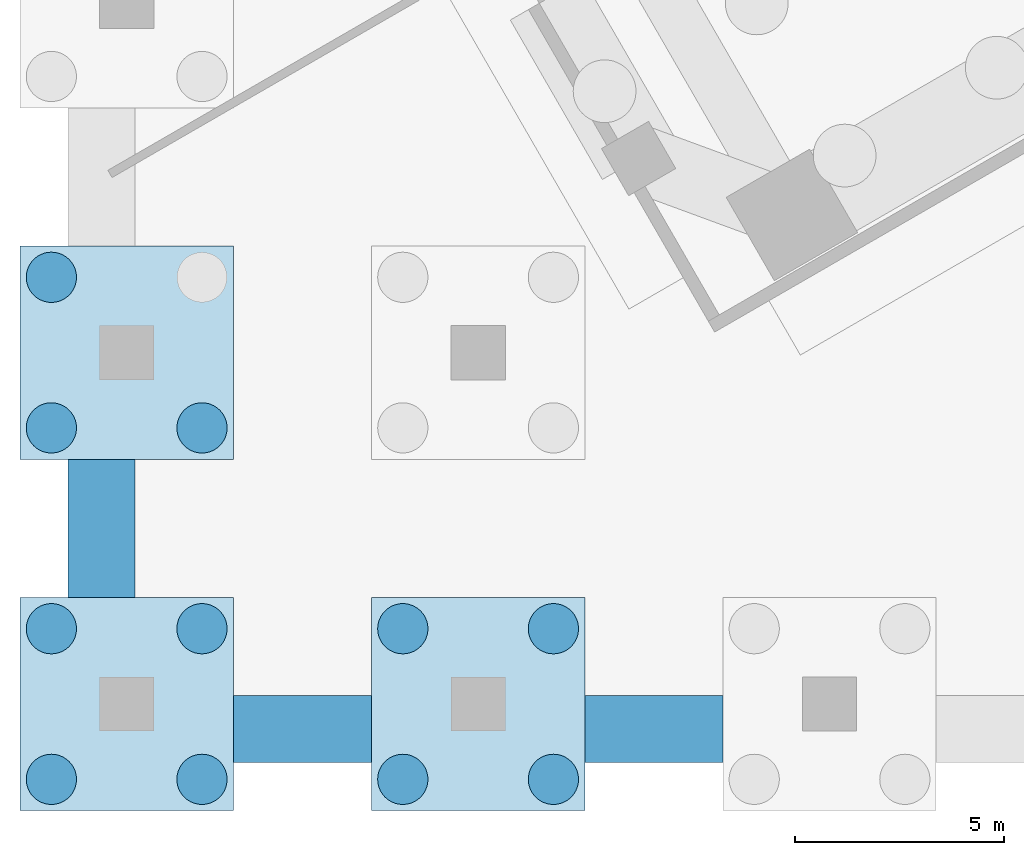
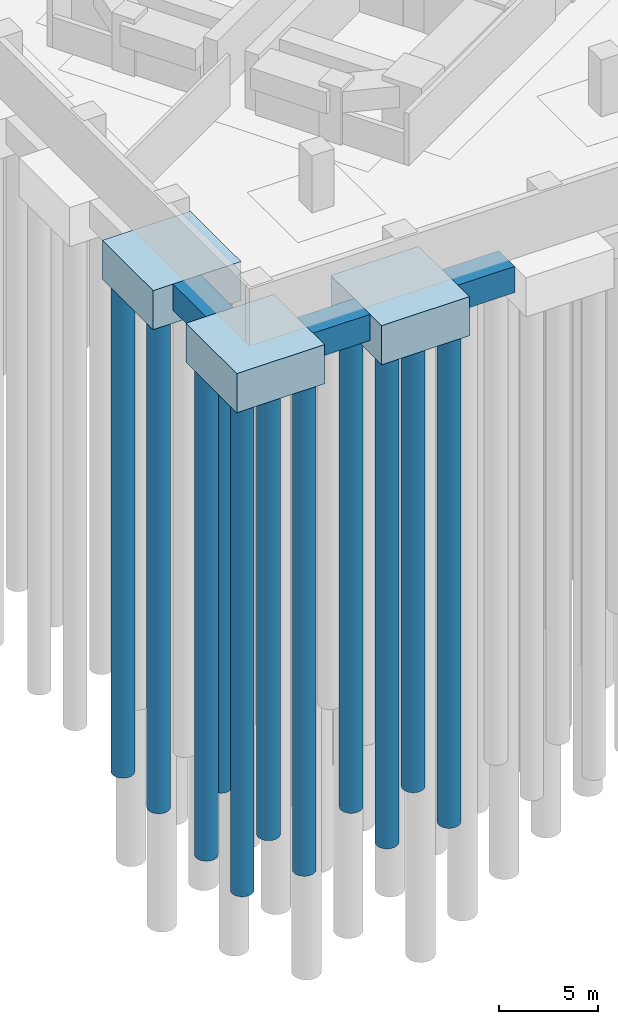
# One storey, part 1 of 73: 11 piles, 6 footings.
"""IFC4 building model written with IfcOpenShell, lengths in metres."""

from ifc_helpers import new_model, si_unit, direction, frame, origin, origin_2d, place, context, subcontext, project, spatial, polyline, circle, outline, extrude, material, material_profile, profile_set, type_object, element, save


model = new_model("IFC4")

# Units and contexts
model_context = context("Model", 3, precision=1e-05, world=origin(), true_north=direction((0.0, 1.0)))
body_context = subcontext(model_context, "Body", "Model", "MODEL_VIEW")
ifc_project = project(units=[si_unit("LENGTHUNIT", "METRE"), si_unit("AREAUNIT", "SQUARE_METRE"), si_unit("VOLUMEUNIT", "CUBIC_METRE"), si_unit("PLANEANGLEUNIT", "RADIAN"), si_unit("MASSUNIT", "GRAM", prefix="KILO")], contexts=[model_context])

# Site, building, storey
site_placement = place(None, origin())
site = spatial("IfcSite", under=ifc_project, at=site_placement, CompositionType="ELEMENT")
building_placement = place(site_placement, origin())
building = spatial("IfcBuilding", under=site, at=building_placement, Name="Impinga Residences", CompositionType="ELEMENT")
storey_placement = place(building_placement, frame((0.0, 0.0, -10.5)))
storey = spatial("IfcBuildingStorey", under=building, at=storey_placement, Name="B3", CompositionType="ELEMENT", Elevation=-10.5)

# Piles
ifc_material_1 = material(Name="Concrete C35/45", Category="concrete")
ifc_material_profile = material_profile(ifc_material_1, circle(Radius=0.60009765625, at=origin_2d()), Name="D1200")
ifc_profile_set = profile_set([ifc_material_profile], Name="Concrete C35/45")
pile_type = type_object("IfcPileType", Name="BP2 bored pile D1200", PredefinedType="BORED", material=ifc_profile_set)
pile_1_placement = place(storey_placement, frame((-52.199951171875, -43.800048828125, -2.39990234375), z_axis=(0.0, 0.0, -1.0), x_axis=(1.0, 0.0, 0.0)))
element("IfcPile", 1, at=pile_1_placement, inside=storey, type_object=pile_type, Name="Cap pile BP2 1/A-1", PredefinedType="BORED", context=body_context, shape_type="SweptSolid", body=[
    extrude(outline(polyline([(0.60009765625, 0.0), (0.59716796875, 0.058837890625), (0.58837890625, 0.116943359375), (0.57421875, 0.174072265625), (0.554443359375, 0.2294921875), (0.529052734375, 0.282958984375), (0.498779296875, 0.333251953125), (0.4638671875, 0.380615234375), (0.42431640625, 0.42431640625), (0.380615234375, 0.4638671875), (0.333251953125, 0.498779296875), (0.282958984375, 0.529052734375), (0.2294921875, 0.554443359375), (0.174072265625, 0.57421875), (0.116943359375, 0.58837890625), (0.058837890625, 0.59716796875), (0.0, 0.60009765625), (-0.058837890625, 0.59716796875), (-0.116943359375, 0.58837890625), (-0.174072265625, 0.57421875), (-0.2294921875, 0.554443359375), (-0.282958984375, 0.529052734375), (-0.333251953125, 0.498779296875), (-0.380615234375, 0.4638671875), (-0.42431640625, 0.42431640625), (-0.4638671875, 0.380615234375), (-0.498779296875, 0.333251953125), (-0.529052734375, 0.282958984375), (-0.554443359375, 0.2294921875), (-0.57421875, 0.174072265625), (-0.58837890625, 0.116943359375), (-0.59716796875, 0.058837890625), (-0.60009765625, 0.0), (-0.59716796875, -0.058837890625), (-0.58837890625, -0.116943359375), (-0.57421875, -0.174072265625), (-0.554443359375, -0.2294921875), (-0.529052734375, -0.282958984375), (-0.498779296875, -0.333251953125), (-0.4638671875, -0.380615234375), (-0.42431640625, -0.42431640625), (-0.380615234375, -0.4638671875), (-0.333251953125, -0.498779296875), (-0.282958984375, -0.529052734375), (-0.2294921875, -0.554443359375), (-0.174072265625, -0.57421875), (-0.116943359375, -0.58837890625), (-0.058837890625, -0.59716796875), (0.0, -0.60009765625), (0.058837890625, -0.59716796875), (0.116943359375, -0.58837890625), (0.174072265625, -0.57421875), (0.2294921875, -0.554443359375), (0.282958984375, -0.529052734375), (0.333251953125, -0.498779296875), (0.380615234375, -0.4638671875), (0.42431640625, -0.42431640625), (0.4638671875, -0.380615234375), (0.498779296875, -0.333251953125), (0.529052734375, -0.282958984375), (0.554443359375, -0.2294921875), (0.57421875, -0.174072265625), (0.58837890625, -0.116943359375), (0.59716796875, -0.058837890625), (0.60009765625, 0.0)])), origin(), (0.0, 0.0, 1.0), 30.0),
])
pile_2_placement = place(storey_placement, frame((-48.60009765625, -43.800048828125, -2.39990234375), z_axis=(0.0, 0.0, -1.0), x_axis=(1.0, 0.0, 0.0)))
element("IfcPile", 2, at=pile_2_placement, inside=storey, type_object=pile_type, Name="Cap pile BP2 1/A-2", PredefinedType="BORED", context=body_context, shape_type="SweptSolid", body=[
    extrude(outline(polyline([(0.60009765625, 0.0), (0.59716796875, 0.058837890625), (0.58837890625, 0.116943359375), (0.57421875, 0.174072265625), (0.554443359375, 0.2294921875), (0.529052734375, 0.282958984375), (0.498779296875, 0.333251953125), (0.4638671875, 0.380615234375), (0.42431640625, 0.42431640625), (0.380615234375, 0.4638671875), (0.333251953125, 0.498779296875), (0.282958984375, 0.529052734375), (0.2294921875, 0.554443359375), (0.174072265625, 0.57421875), (0.116943359375, 0.58837890625), (0.058837890625, 0.59716796875), (0.0, 0.60009765625), (-0.058837890625, 0.59716796875), (-0.116943359375, 0.58837890625), (-0.174072265625, 0.57421875), (-0.2294921875, 0.554443359375), (-0.282958984375, 0.529052734375), (-0.333251953125, 0.498779296875), (-0.380615234375, 0.4638671875), (-0.42431640625, 0.42431640625), (-0.4638671875, 0.380615234375), (-0.498779296875, 0.333251953125), (-0.529052734375, 0.282958984375), (-0.554443359375, 0.2294921875), (-0.57421875, 0.174072265625), (-0.58837890625, 0.116943359375), (-0.59716796875, 0.058837890625), (-0.60009765625, 0.0), (-0.59716796875, -0.058837890625), (-0.58837890625, -0.116943359375), (-0.57421875, -0.174072265625), (-0.554443359375, -0.2294921875), (-0.529052734375, -0.282958984375), (-0.498779296875, -0.333251953125), (-0.4638671875, -0.380615234375), (-0.42431640625, -0.42431640625), (-0.380615234375, -0.4638671875), (-0.333251953125, -0.498779296875), (-0.282958984375, -0.529052734375), (-0.2294921875, -0.554443359375), (-0.174072265625, -0.57421875), (-0.116943359375, -0.58837890625), (-0.058837890625, -0.59716796875), (0.0, -0.60009765625), (0.058837890625, -0.59716796875), (0.116943359375, -0.58837890625), (0.174072265625, -0.57421875), (0.2294921875, -0.554443359375), (0.282958984375, -0.529052734375), (0.333251953125, -0.498779296875), (0.380615234375, -0.4638671875), (0.42431640625, -0.42431640625), (0.4638671875, -0.380615234375), (0.498779296875, -0.333251953125), (0.529052734375, -0.282958984375), (0.554443359375, -0.2294921875), (0.57421875, -0.174072265625), (0.58837890625, -0.116943359375), (0.59716796875, -0.058837890625), (0.60009765625, 0.0)])), origin(), (0.0, 0.0, 1.0), 30.0),
])
pile_3_placement = place(storey_placement, frame((-48.60009765625, -40.199951171875, -2.39990234375), z_axis=(0.0, 0.0, -1.0), x_axis=(1.0, 0.0, 0.0)))
element("IfcPile", 3, at=pile_3_placement, inside=storey, type_object=pile_type, Name="Cap pile BP2 1/A-3", PredefinedType="BORED", context=body_context, shape_type="SweptSolid", body=[
    extrude(outline(polyline([(0.60009765625, 0.0), (0.59716796875, 0.058837890625), (0.58837890625, 0.116943359375), (0.57421875, 0.174072265625), (0.554443359375, 0.2294921875), (0.529052734375, 0.282958984375), (0.498779296875, 0.333251953125), (0.4638671875, 0.380615234375), (0.42431640625, 0.42431640625), (0.380615234375, 0.4638671875), (0.333251953125, 0.498779296875), (0.282958984375, 0.529052734375), (0.2294921875, 0.554443359375), (0.174072265625, 0.57421875), (0.116943359375, 0.58837890625), (0.058837890625, 0.59716796875), (0.0, 0.60009765625), (-0.058837890625, 0.59716796875), (-0.116943359375, 0.58837890625), (-0.174072265625, 0.57421875), (-0.2294921875, 0.554443359375), (-0.282958984375, 0.529052734375), (-0.333251953125, 0.498779296875), (-0.380615234375, 0.4638671875), (-0.42431640625, 0.42431640625), (-0.4638671875, 0.380615234375), (-0.498779296875, 0.333251953125), (-0.529052734375, 0.282958984375), (-0.554443359375, 0.2294921875), (-0.57421875, 0.174072265625), (-0.58837890625, 0.116943359375), (-0.59716796875, 0.058837890625), (-0.60009765625, 0.0), (-0.59716796875, -0.058837890625), (-0.58837890625, -0.116943359375), (-0.57421875, -0.174072265625), (-0.554443359375, -0.2294921875), (-0.529052734375, -0.282958984375), (-0.498779296875, -0.333251953125), (-0.4638671875, -0.380615234375), (-0.42431640625, -0.42431640625), (-0.380615234375, -0.4638671875), (-0.333251953125, -0.498779296875), (-0.282958984375, -0.529052734375), (-0.2294921875, -0.554443359375), (-0.174072265625, -0.57421875), (-0.116943359375, -0.58837890625), (-0.058837890625, -0.59716796875), (0.0, -0.60009765625), (0.058837890625, -0.59716796875), (0.116943359375, -0.58837890625), (0.174072265625, -0.57421875), (0.2294921875, -0.554443359375), (0.282958984375, -0.529052734375), (0.333251953125, -0.498779296875), (0.380615234375, -0.4638671875), (0.42431640625, -0.42431640625), (0.4638671875, -0.380615234375), (0.498779296875, -0.333251953125), (0.529052734375, -0.282958984375), (0.554443359375, -0.2294921875), (0.57421875, -0.174072265625), (0.58837890625, -0.116943359375), (0.59716796875, -0.058837890625), (0.60009765625, 0.0)])), origin(), (0.0, 0.0, 1.0), 30.0),
])
pile_4_placement = place(storey_placement, frame((-52.199951171875, -40.199951171875, -2.39990234375), z_axis=(0.0, 0.0, -1.0), x_axis=(1.0, 0.0, 0.0)))
element("IfcPile", 4, at=pile_4_placement, inside=storey, type_object=pile_type, Name="Cap pile BP2 1/A-4", PredefinedType="BORED", context=body_context, shape_type="SweptSolid", body=[
    extrude(outline(polyline([(0.60009765625, 0.0), (0.59716796875, 0.058837890625), (0.58837890625, 0.116943359375), (0.57421875, 0.174072265625), (0.554443359375, 0.2294921875), (0.529052734375, 0.282958984375), (0.498779296875, 0.333251953125), (0.4638671875, 0.380615234375), (0.42431640625, 0.42431640625), (0.380615234375, 0.4638671875), (0.333251953125, 0.498779296875), (0.282958984375, 0.529052734375), (0.2294921875, 0.554443359375), (0.174072265625, 0.57421875), (0.116943359375, 0.58837890625), (0.058837890625, 0.59716796875), (0.0, 0.60009765625), (-0.058837890625, 0.59716796875), (-0.116943359375, 0.58837890625), (-0.174072265625, 0.57421875), (-0.2294921875, 0.554443359375), (-0.282958984375, 0.529052734375), (-0.333251953125, 0.498779296875), (-0.380615234375, 0.4638671875), (-0.42431640625, 0.42431640625), (-0.4638671875, 0.380615234375), (-0.498779296875, 0.333251953125), (-0.529052734375, 0.282958984375), (-0.554443359375, 0.2294921875), (-0.57421875, 0.174072265625), (-0.58837890625, 0.116943359375), (-0.59716796875, 0.058837890625), (-0.60009765625, 0.0), (-0.59716796875, -0.058837890625), (-0.58837890625, -0.116943359375), (-0.57421875, -0.174072265625), (-0.554443359375, -0.2294921875), (-0.529052734375, -0.282958984375), (-0.498779296875, -0.333251953125), (-0.4638671875, -0.380615234375), (-0.42431640625, -0.42431640625), (-0.380615234375, -0.4638671875), (-0.333251953125, -0.498779296875), (-0.282958984375, -0.529052734375), (-0.2294921875, -0.554443359375), (-0.174072265625, -0.57421875), (-0.116943359375, -0.58837890625), (-0.058837890625, -0.59716796875), (0.0, -0.60009765625), (0.058837890625, -0.59716796875), (0.116943359375, -0.58837890625), (0.174072265625, -0.57421875), (0.2294921875, -0.554443359375), (0.282958984375, -0.529052734375), (0.333251953125, -0.498779296875), (0.380615234375, -0.4638671875), (0.42431640625, -0.42431640625), (0.4638671875, -0.380615234375), (0.498779296875, -0.333251953125), (0.529052734375, -0.282958984375), (0.554443359375, -0.2294921875), (0.57421875, -0.174072265625), (0.58837890625, -0.116943359375), (0.59716796875, -0.058837890625), (0.60009765625, 0.0)])), origin(), (0.0, 0.0, 1.0), 30.0),
])
pile_5_placement = place(storey_placement, frame((-52.199951171875, -35.39990234375, -2.39990234375), z_axis=(0.0, 0.0, -1.0), x_axis=(1.0, 0.0, 0.0)))
element("IfcPile", 5, at=pile_5_placement, inside=storey, type_object=pile_type, Name="Cap pile BP2 1/B-1", PredefinedType="BORED", context=body_context, shape_type="SweptSolid", body=[
    extrude(outline(polyline([(0.60009765625, 0.0), (0.59716796875, 0.058837890625), (0.58837890625, 0.116943359375), (0.57421875, 0.174072265625), (0.554443359375, 0.2294921875), (0.529052734375, 0.282958984375), (0.498779296875, 0.333251953125), (0.4638671875, 0.380615234375), (0.42431640625, 0.42431640625), (0.380615234375, 0.4638671875), (0.333251953125, 0.498779296875), (0.282958984375, 0.529052734375), (0.2294921875, 0.554443359375), (0.174072265625, 0.57421875), (0.116943359375, 0.58837890625), (0.058837890625, 0.59716796875), (0.0, 0.60009765625), (-0.058837890625, 0.59716796875), (-0.116943359375, 0.58837890625), (-0.174072265625, 0.57421875), (-0.2294921875, 0.554443359375), (-0.282958984375, 0.529052734375), (-0.333251953125, 0.498779296875), (-0.380615234375, 0.4638671875), (-0.42431640625, 0.42431640625), (-0.4638671875, 0.380615234375), (-0.498779296875, 0.333251953125), (-0.529052734375, 0.282958984375), (-0.554443359375, 0.2294921875), (-0.57421875, 0.174072265625), (-0.58837890625, 0.116943359375), (-0.59716796875, 0.058837890625), (-0.60009765625, 0.0), (-0.59716796875, -0.058837890625), (-0.58837890625, -0.116943359375), (-0.57421875, -0.174072265625), (-0.554443359375, -0.2294921875), (-0.529052734375, -0.282958984375), (-0.498779296875, -0.333251953125), (-0.4638671875, -0.380615234375), (-0.42431640625, -0.42431640625), (-0.380615234375, -0.4638671875), (-0.333251953125, -0.498779296875), (-0.282958984375, -0.529052734375), (-0.2294921875, -0.554443359375), (-0.174072265625, -0.57421875), (-0.116943359375, -0.58837890625), (-0.058837890625, -0.59716796875), (0.0, -0.60009765625), (0.058837890625, -0.59716796875), (0.116943359375, -0.58837890625), (0.174072265625, -0.57421875), (0.2294921875, -0.554443359375), (0.282958984375, -0.529052734375), (0.333251953125, -0.498779296875), (0.380615234375, -0.4638671875), (0.42431640625, -0.42431640625), (0.4638671875, -0.380615234375), (0.498779296875, -0.333251953125), (0.529052734375, -0.282958984375), (0.554443359375, -0.2294921875), (0.57421875, -0.174072265625), (0.58837890625, -0.116943359375), (0.59716796875, -0.058837890625), (0.60009765625, 0.0)])), origin(), (0.0, 0.0, 1.0), 30.0),
])
pile_6_placement = place(storey_placement, frame((-48.60009765625, -35.39990234375, -2.39990234375), z_axis=(0.0, 0.0, -1.0), x_axis=(1.0, 0.0, 0.0)))
element("IfcPile", 6, at=pile_6_placement, inside=storey, type_object=pile_type, Name="Cap pile BP2 1/B-2", PredefinedType="BORED", context=body_context, shape_type="SweptSolid", body=[
    extrude(outline(polyline([(0.60009765625, 0.0), (0.59716796875, 0.058837890625), (0.58837890625, 0.116943359375), (0.57421875, 0.174072265625), (0.554443359375, 0.2294921875), (0.529052734375, 0.282958984375), (0.498779296875, 0.333251953125), (0.4638671875, 0.380615234375), (0.42431640625, 0.42431640625), (0.380615234375, 0.4638671875), (0.333251953125, 0.498779296875), (0.282958984375, 0.529052734375), (0.2294921875, 0.554443359375), (0.174072265625, 0.57421875), (0.116943359375, 0.58837890625), (0.058837890625, 0.59716796875), (0.0, 0.60009765625), (-0.058837890625, 0.59716796875), (-0.116943359375, 0.58837890625), (-0.174072265625, 0.57421875), (-0.2294921875, 0.554443359375), (-0.282958984375, 0.529052734375), (-0.333251953125, 0.498779296875), (-0.380615234375, 0.4638671875), (-0.42431640625, 0.42431640625), (-0.4638671875, 0.380615234375), (-0.498779296875, 0.333251953125), (-0.529052734375, 0.282958984375), (-0.554443359375, 0.2294921875), (-0.57421875, 0.174072265625), (-0.58837890625, 0.116943359375), (-0.59716796875, 0.058837890625), (-0.60009765625, 0.0), (-0.59716796875, -0.058837890625), (-0.58837890625, -0.116943359375), (-0.57421875, -0.174072265625), (-0.554443359375, -0.2294921875), (-0.529052734375, -0.282958984375), (-0.498779296875, -0.333251953125), (-0.4638671875, -0.380615234375), (-0.42431640625, -0.42431640625), (-0.380615234375, -0.4638671875), (-0.333251953125, -0.498779296875), (-0.282958984375, -0.529052734375), (-0.2294921875, -0.554443359375), (-0.174072265625, -0.57421875), (-0.116943359375, -0.58837890625), (-0.058837890625, -0.59716796875), (0.0, -0.60009765625), (0.058837890625, -0.59716796875), (0.116943359375, -0.58837890625), (0.174072265625, -0.57421875), (0.2294921875, -0.554443359375), (0.282958984375, -0.529052734375), (0.333251953125, -0.498779296875), (0.380615234375, -0.4638671875), (0.42431640625, -0.42431640625), (0.4638671875, -0.380615234375), (0.498779296875, -0.333251953125), (0.529052734375, -0.282958984375), (0.554443359375, -0.2294921875), (0.57421875, -0.174072265625), (0.58837890625, -0.116943359375), (0.59716796875, -0.058837890625), (0.60009765625, 0.0)])), origin(), (0.0, 0.0, 1.0), 30.0),
])
pile_7_placement = place(storey_placement, frame((-52.199951171875, -31.800048828125, -2.39990234375), z_axis=(0.0, 0.0, -1.0), x_axis=(1.0, 0.0, 0.0)))
element("IfcPile", 7, at=pile_7_placement, inside=storey, type_object=pile_type, Name="Cap pile BP2 1/B-4", PredefinedType="BORED", context=body_context, shape_type="SweptSolid", body=[
    extrude(outline(polyline([(0.60009765625, 0.0), (0.59716796875, 0.058837890625), (0.58837890625, 0.116943359375), (0.57421875, 0.174072265625), (0.554443359375, 0.2294921875), (0.529052734375, 0.282958984375), (0.498779296875, 0.333251953125), (0.4638671875, 0.380615234375), (0.42431640625, 0.42431640625), (0.380615234375, 0.4638671875), (0.333251953125, 0.498779296875), (0.282958984375, 0.529052734375), (0.2294921875, 0.554443359375), (0.174072265625, 0.57421875), (0.116943359375, 0.58837890625), (0.058837890625, 0.59716796875), (0.0, 0.60009765625), (-0.058837890625, 0.59716796875), (-0.116943359375, 0.58837890625), (-0.174072265625, 0.57421875), (-0.2294921875, 0.554443359375), (-0.282958984375, 0.529052734375), (-0.333251953125, 0.498779296875), (-0.380615234375, 0.4638671875), (-0.42431640625, 0.42431640625), (-0.4638671875, 0.380615234375), (-0.498779296875, 0.333251953125), (-0.529052734375, 0.282958984375), (-0.554443359375, 0.2294921875), (-0.57421875, 0.174072265625), (-0.58837890625, 0.116943359375), (-0.59716796875, 0.058837890625), (-0.60009765625, 0.0), (-0.59716796875, -0.058837890625), (-0.58837890625, -0.116943359375), (-0.57421875, -0.174072265625), (-0.554443359375, -0.2294921875), (-0.529052734375, -0.282958984375), (-0.498779296875, -0.333251953125), (-0.4638671875, -0.380615234375), (-0.42431640625, -0.42431640625), (-0.380615234375, -0.4638671875), (-0.333251953125, -0.498779296875), (-0.282958984375, -0.529052734375), (-0.2294921875, -0.554443359375), (-0.174072265625, -0.57421875), (-0.116943359375, -0.58837890625), (-0.058837890625, -0.59716796875), (0.0, -0.60009765625), (0.058837890625, -0.59716796875), (0.116943359375, -0.58837890625), (0.174072265625, -0.57421875), (0.2294921875, -0.554443359375), (0.282958984375, -0.529052734375), (0.333251953125, -0.498779296875), (0.380615234375, -0.4638671875), (0.42431640625, -0.42431640625), (0.4638671875, -0.380615234375), (0.498779296875, -0.333251953125), (0.529052734375, -0.282958984375), (0.554443359375, -0.2294921875), (0.57421875, -0.174072265625), (0.58837890625, -0.116943359375), (0.59716796875, -0.058837890625), (0.60009765625, 0.0)])), origin(), (0.0, 0.0, 1.0), 30.0),
])
pile_8_placement = place(storey_placement, frame((-43.800048828125, -43.800048828125, -2.39990234375), z_axis=(0.0, 0.0, -1.0), x_axis=(1.0, 0.0, 0.0)))
element("IfcPile", 8, at=pile_8_placement, inside=storey, type_object=pile_type, Name="Cap pile BP2 2/A-1", PredefinedType="BORED", context=body_context, shape_type="SweptSolid", body=[
    extrude(outline(polyline([(0.60009765625, 0.0), (0.59716796875, 0.058837890625), (0.58837890625, 0.116943359375), (0.57421875, 0.174072265625), (0.554443359375, 0.2294921875), (0.529052734375, 0.282958984375), (0.498779296875, 0.333251953125), (0.4638671875, 0.380615234375), (0.42431640625, 0.42431640625), (0.380615234375, 0.4638671875), (0.333251953125, 0.498779296875), (0.282958984375, 0.529052734375), (0.2294921875, 0.554443359375), (0.174072265625, 0.57421875), (0.116943359375, 0.58837890625), (0.058837890625, 0.59716796875), (0.0, 0.60009765625), (-0.058837890625, 0.59716796875), (-0.116943359375, 0.58837890625), (-0.174072265625, 0.57421875), (-0.2294921875, 0.554443359375), (-0.282958984375, 0.529052734375), (-0.333251953125, 0.498779296875), (-0.380615234375, 0.4638671875), (-0.42431640625, 0.42431640625), (-0.4638671875, 0.380615234375), (-0.498779296875, 0.333251953125), (-0.529052734375, 0.282958984375), (-0.554443359375, 0.2294921875), (-0.57421875, 0.174072265625), (-0.58837890625, 0.116943359375), (-0.59716796875, 0.058837890625), (-0.60009765625, 0.0), (-0.59716796875, -0.058837890625), (-0.58837890625, -0.116943359375), (-0.57421875, -0.174072265625), (-0.554443359375, -0.2294921875), (-0.529052734375, -0.282958984375), (-0.498779296875, -0.333251953125), (-0.4638671875, -0.380615234375), (-0.42431640625, -0.42431640625), (-0.380615234375, -0.4638671875), (-0.333251953125, -0.498779296875), (-0.282958984375, -0.529052734375), (-0.2294921875, -0.554443359375), (-0.174072265625, -0.57421875), (-0.116943359375, -0.58837890625), (-0.058837890625, -0.59716796875), (0.0, -0.60009765625), (0.058837890625, -0.59716796875), (0.116943359375, -0.58837890625), (0.174072265625, -0.57421875), (0.2294921875, -0.554443359375), (0.282958984375, -0.529052734375), (0.333251953125, -0.498779296875), (0.380615234375, -0.4638671875), (0.42431640625, -0.42431640625), (0.4638671875, -0.380615234375), (0.498779296875, -0.333251953125), (0.529052734375, -0.282958984375), (0.554443359375, -0.2294921875), (0.57421875, -0.174072265625), (0.58837890625, -0.116943359375), (0.59716796875, -0.058837890625), (0.60009765625, 0.0)])), origin(), (0.0, 0.0, 1.0), 30.0),
])
pile_9_placement = place(storey_placement, frame((-40.199951171875, -43.800048828125, -2.39990234375), z_axis=(0.0, 0.0, -1.0), x_axis=(1.0, 0.0, 0.0)))
element("IfcPile", 9, at=pile_9_placement, inside=storey, type_object=pile_type, Name="Cap pile BP2 2/A-2", PredefinedType="BORED", context=body_context, shape_type="SweptSolid", body=[
    extrude(outline(polyline([(0.60009765625, 0.0), (0.59716796875, 0.058837890625), (0.58837890625, 0.116943359375), (0.57421875, 0.174072265625), (0.554443359375, 0.2294921875), (0.529052734375, 0.282958984375), (0.498779296875, 0.333251953125), (0.4638671875, 0.380615234375), (0.42431640625, 0.42431640625), (0.380615234375, 0.4638671875), (0.333251953125, 0.498779296875), (0.282958984375, 0.529052734375), (0.2294921875, 0.554443359375), (0.174072265625, 0.57421875), (0.116943359375, 0.58837890625), (0.058837890625, 0.59716796875), (0.0, 0.60009765625), (-0.058837890625, 0.59716796875), (-0.116943359375, 0.58837890625), (-0.174072265625, 0.57421875), (-0.2294921875, 0.554443359375), (-0.282958984375, 0.529052734375), (-0.333251953125, 0.498779296875), (-0.380615234375, 0.4638671875), (-0.42431640625, 0.42431640625), (-0.4638671875, 0.380615234375), (-0.498779296875, 0.333251953125), (-0.529052734375, 0.282958984375), (-0.554443359375, 0.2294921875), (-0.57421875, 0.174072265625), (-0.58837890625, 0.116943359375), (-0.59716796875, 0.058837890625), (-0.60009765625, 0.0), (-0.59716796875, -0.058837890625), (-0.58837890625, -0.116943359375), (-0.57421875, -0.174072265625), (-0.554443359375, -0.2294921875), (-0.529052734375, -0.282958984375), (-0.498779296875, -0.333251953125), (-0.4638671875, -0.380615234375), (-0.42431640625, -0.42431640625), (-0.380615234375, -0.4638671875), (-0.333251953125, -0.498779296875), (-0.282958984375, -0.529052734375), (-0.2294921875, -0.554443359375), (-0.174072265625, -0.57421875), (-0.116943359375, -0.58837890625), (-0.058837890625, -0.59716796875), (0.0, -0.60009765625), (0.058837890625, -0.59716796875), (0.116943359375, -0.58837890625), (0.174072265625, -0.57421875), (0.2294921875, -0.554443359375), (0.282958984375, -0.529052734375), (0.333251953125, -0.498779296875), (0.380615234375, -0.4638671875), (0.42431640625, -0.42431640625), (0.4638671875, -0.380615234375), (0.498779296875, -0.333251953125), (0.529052734375, -0.282958984375), (0.554443359375, -0.2294921875), (0.57421875, -0.174072265625), (0.58837890625, -0.116943359375), (0.59716796875, -0.058837890625), (0.60009765625, 0.0)])), origin(), (0.0, 0.0, 1.0), 30.0),
])
pile_10_placement = place(storey_placement, frame((-40.199951171875, -40.199951171875, -2.39990234375), z_axis=(0.0, 0.0, -1.0), x_axis=(1.0, 0.0, 0.0)))
element("IfcPile", 10, at=pile_10_placement, inside=storey, type_object=pile_type, Name="Cap pile BP2 2/A-3", PredefinedType="BORED", context=body_context, shape_type="SweptSolid", body=[
    extrude(outline(polyline([(0.60009765625, 0.0), (0.59716796875, 0.058837890625), (0.58837890625, 0.116943359375), (0.57421875, 0.174072265625), (0.554443359375, 0.2294921875), (0.529052734375, 0.282958984375), (0.498779296875, 0.333251953125), (0.4638671875, 0.380615234375), (0.42431640625, 0.42431640625), (0.380615234375, 0.4638671875), (0.333251953125, 0.498779296875), (0.282958984375, 0.529052734375), (0.2294921875, 0.554443359375), (0.174072265625, 0.57421875), (0.116943359375, 0.58837890625), (0.058837890625, 0.59716796875), (0.0, 0.60009765625), (-0.058837890625, 0.59716796875), (-0.116943359375, 0.58837890625), (-0.174072265625, 0.57421875), (-0.2294921875, 0.554443359375), (-0.282958984375, 0.529052734375), (-0.333251953125, 0.498779296875), (-0.380615234375, 0.4638671875), (-0.42431640625, 0.42431640625), (-0.4638671875, 0.380615234375), (-0.498779296875, 0.333251953125), (-0.529052734375, 0.282958984375), (-0.554443359375, 0.2294921875), (-0.57421875, 0.174072265625), (-0.58837890625, 0.116943359375), (-0.59716796875, 0.058837890625), (-0.60009765625, 0.0), (-0.59716796875, -0.058837890625), (-0.58837890625, -0.116943359375), (-0.57421875, -0.174072265625), (-0.554443359375, -0.2294921875), (-0.529052734375, -0.282958984375), (-0.498779296875, -0.333251953125), (-0.4638671875, -0.380615234375), (-0.42431640625, -0.42431640625), (-0.380615234375, -0.4638671875), (-0.333251953125, -0.498779296875), (-0.282958984375, -0.529052734375), (-0.2294921875, -0.554443359375), (-0.174072265625, -0.57421875), (-0.116943359375, -0.58837890625), (-0.058837890625, -0.59716796875), (0.0, -0.60009765625), (0.058837890625, -0.59716796875), (0.116943359375, -0.58837890625), (0.174072265625, -0.57421875), (0.2294921875, -0.554443359375), (0.282958984375, -0.529052734375), (0.333251953125, -0.498779296875), (0.380615234375, -0.4638671875), (0.42431640625, -0.42431640625), (0.4638671875, -0.380615234375), (0.498779296875, -0.333251953125), (0.529052734375, -0.282958984375), (0.554443359375, -0.2294921875), (0.57421875, -0.174072265625), (0.58837890625, -0.116943359375), (0.59716796875, -0.058837890625), (0.60009765625, 0.0)])), origin(), (0.0, 0.0, 1.0), 30.0),
])
pile_11_placement = place(storey_placement, frame((-43.800048828125, -40.199951171875, -2.39990234375), z_axis=(0.0, 0.0, -1.0), x_axis=(1.0, 0.0, 0.0)))
element("IfcPile", 11, at=pile_11_placement, inside=storey, type_object=pile_type, Name="Cap pile BP2 2/A-4", PredefinedType="BORED", context=body_context, shape_type="SweptSolid", body=[
    extrude(outline(polyline([(0.60009765625, 0.0), (0.59716796875, 0.058837890625), (0.58837890625, 0.116943359375), (0.57421875, 0.174072265625), (0.554443359375, 0.2294921875), (0.529052734375, 0.282958984375), (0.498779296875, 0.333251953125), (0.4638671875, 0.380615234375), (0.42431640625, 0.42431640625), (0.380615234375, 0.4638671875), (0.333251953125, 0.498779296875), (0.282958984375, 0.529052734375), (0.2294921875, 0.554443359375), (0.174072265625, 0.57421875), (0.116943359375, 0.58837890625), (0.058837890625, 0.59716796875), (0.0, 0.60009765625), (-0.058837890625, 0.59716796875), (-0.116943359375, 0.58837890625), (-0.174072265625, 0.57421875), (-0.2294921875, 0.554443359375), (-0.282958984375, 0.529052734375), (-0.333251953125, 0.498779296875), (-0.380615234375, 0.4638671875), (-0.42431640625, 0.42431640625), (-0.4638671875, 0.380615234375), (-0.498779296875, 0.333251953125), (-0.529052734375, 0.282958984375), (-0.554443359375, 0.2294921875), (-0.57421875, 0.174072265625), (-0.58837890625, 0.116943359375), (-0.59716796875, 0.058837890625), (-0.60009765625, 0.0), (-0.59716796875, -0.058837890625), (-0.58837890625, -0.116943359375), (-0.57421875, -0.174072265625), (-0.554443359375, -0.2294921875), (-0.529052734375, -0.282958984375), (-0.498779296875, -0.333251953125), (-0.4638671875, -0.380615234375), (-0.42431640625, -0.42431640625), (-0.380615234375, -0.4638671875), (-0.333251953125, -0.498779296875), (-0.282958984375, -0.529052734375), (-0.2294921875, -0.554443359375), (-0.174072265625, -0.57421875), (-0.116943359375, -0.58837890625), (-0.058837890625, -0.59716796875), (0.0, -0.60009765625), (0.058837890625, -0.59716796875), (0.116943359375, -0.58837890625), (0.174072265625, -0.57421875), (0.2294921875, -0.554443359375), (0.282958984375, -0.529052734375), (0.333251953125, -0.498779296875), (0.380615234375, -0.4638671875), (0.42431640625, -0.42431640625), (0.4638671875, -0.380615234375), (0.498779296875, -0.333251953125), (0.529052734375, -0.282958984375), (0.554443359375, -0.2294921875), (0.57421875, -0.174072265625), (0.58837890625, -0.116943359375), (0.59716796875, -0.058837890625), (0.60009765625, 0.0)])), origin(), (0.0, 0.0, 1.0), 30.0),
])

# Footings
ifc_material_2 = material(Name="Concrete C45/55", Category="concrete")
footing_type_1 = type_object("IfcFootingType", Name="PC4 four-pile cap 5100 square 2400 deep", PredefinedType="PILE_CAP", material=ifc_material_2)
footing_1_placement = place(storey_placement, frame((0.0, 0.0, -2.39990234375)))
element("IfcFooting", 12, at=footing_1_placement, inside=storey, type_object=footing_type_1, Name="Pile cap PC4 1/A", PredefinedType="PILE_CAP", context=body_context, shape_type="SweptSolid", body=[
    extrude(outline(polyline([(-47.85009765625, -44.550048828125), (-47.85009765625, -39.449951171875), (-52.949951171875, -39.449951171875), (-52.949951171875, -44.550048828125), (-47.85009765625, -44.550048828125)])), origin(), (0.0, 0.0, 1.0), 2.39990234375),
])
footing_2_placement = place(storey_placement, frame((0.0, 0.0, -2.39990234375)))
element("IfcFooting", 13, at=footing_2_placement, inside=storey, type_object=footing_type_1, Name="Pile cap PC4 1/B", PredefinedType="PILE_CAP", context=body_context, shape_type="SweptSolid", body=[
    extrude(outline(polyline([(-47.85009765625, -36.14990234375), (-47.85009765625, -31.050048828125), (-52.949951171875, -31.050048828125), (-52.949951171875, -36.14990234375), (-47.85009765625, -36.14990234375)])), origin(), (0.0, 0.0, 1.0), 2.39990234375),
])
footing_3_placement = place(storey_placement, frame((0.0, 0.0, -2.39990234375)))
element("IfcFooting", 14, at=footing_3_placement, inside=storey, type_object=footing_type_1, Name="Pile cap PC4 2/A", PredefinedType="PILE_CAP", context=body_context, shape_type="SweptSolid", body=[
    extrude(outline(polyline([(-39.449951171875, -44.550048828125), (-39.449951171875, -39.449951171875), (-44.550048828125, -39.449951171875), (-44.550048828125, -44.550048828125), (-39.449951171875, -44.550048828125)])), origin(), (0.0, 0.0, 1.0), 2.39990234375),
])
footing_type_2 = type_object("IfcFootingType", Name="SF1 strip footing 1600 wide 1600 deep", PredefinedType="STRIP_FOOTING", material=ifc_material_2)
footing_4_placement = place(storey_placement, frame((0.0, 0.0, -1.60009765625)))
element("IfcFooting", 15, at=footing_4_placement, inside=storey, type_object=footing_type_2, Name="Strip footing SF1 S 11", PredefinedType="STRIP_FOOTING", context=body_context, shape_type="SweptSolid", body=[
    extrude(outline(polyline([(-39.449951171875, -43.39990234375), (-39.449951171875, -41.800048828125), (-36.14990234375, -41.800048828125), (-36.14990234375, -43.39990234375), (-39.449951171875, -43.39990234375)])), origin(), (0.0, 0.0, 1.0), 1.60009765625),
])
footing_5_placement = place(storey_placement, frame((0.0, 0.0, -1.60009765625)))
element("IfcFooting", 16, at=footing_5_placement, inside=storey, type_object=footing_type_2, Name="Strip footing SF1 S 12", PredefinedType="STRIP_FOOTING", context=body_context, shape_type="SweptSolid", body=[
    extrude(outline(polyline([(-47.85009765625, -43.39990234375), (-47.85009765625, -41.800048828125), (-44.550048828125, -41.800048828125), (-44.550048828125, -43.39990234375), (-47.85009765625, -43.39990234375)])), origin(), (0.0, 0.0, 1.0), 1.60009765625),
])
footing_6_placement = place(storey_placement, frame((0.0, 0.0, -1.60009765625)))
element("IfcFooting", 17, at=footing_6_placement, inside=storey, type_object=footing_type_2, Name="Strip footing SF1 W 11", PredefinedType="STRIP_FOOTING", context=body_context, shape_type="SweptSolid", body=[
    extrude(outline(polyline([(-50.199951171875, -39.449951171875), (-51.800048828125, -39.449951171875), (-51.800048828125, -36.14990234375), (-50.199951171875, -36.14990234375), (-50.199951171875, -39.449951171875)])), origin(), (0.0, 0.0, 1.0), 1.60009765625),
])

save(model, "model.ifc")
